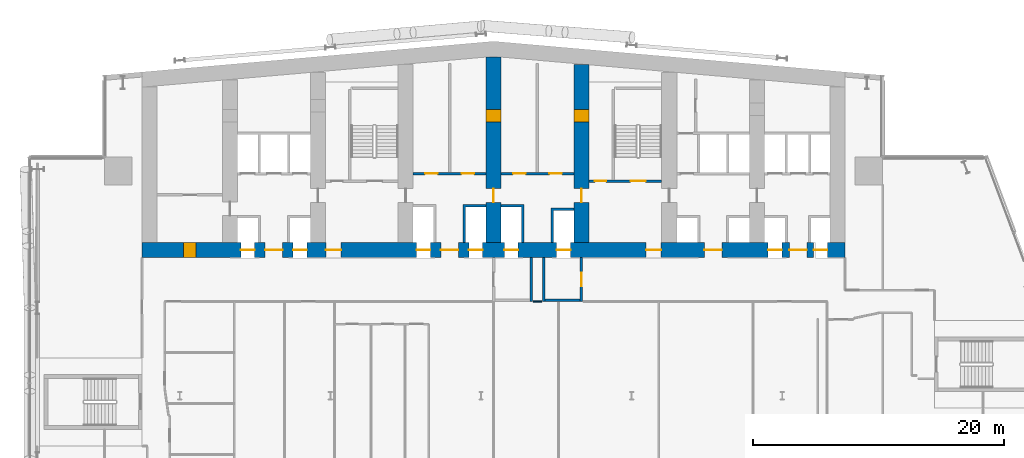
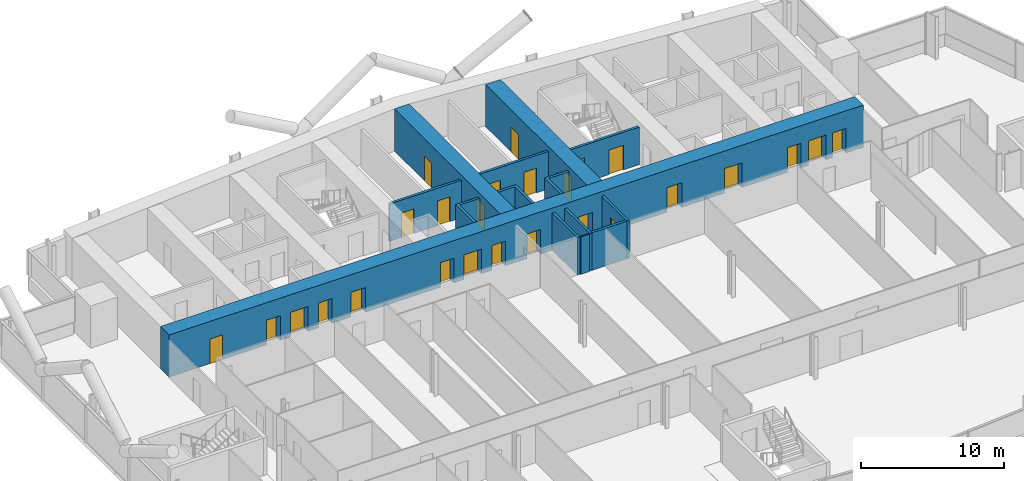
# One storey, part 17 of 27: 26 doors, 14 walls, 26 openings.
"""IFC4 building model written with IfcOpenShell, lengths in metres."""

from ifc_helpers import new_model, si_unit, direction, frame, frame_2d, origin, place, context, subcontext, project, spatial, polyline, rectangle, outline, extrude, material, layer, layer_set, type_object, element, fill, save


model = new_model("IFC4")

# Units and contexts
model_context = context("Model", 3, precision=1e-05, world=origin(), true_north=direction((0.0, 1.0)))
body_context = subcontext(model_context, "Body", "Model", "MODEL_VIEW")
ifc_project = project(units=[si_unit("LENGTHUNIT", "METRE"), si_unit("AREAUNIT", "SQUARE_METRE"), si_unit("VOLUMEUNIT", "CUBIC_METRE"), si_unit("PLANEANGLEUNIT", "RADIAN"), si_unit("MASSUNIT", "GRAM", prefix="KILO")], contexts=[model_context])

# Site, building, storey
site_placement = place(None, origin())
site = spatial("IfcSite", under=ifc_project, at=site_placement, CompositionType="ELEMENT")
building_placement = place(site_placement, origin())
building = spatial("IfcBuilding", under=site, at=building_placement, Name="Wharfspan Tower", CompositionType="ELEMENT")
storey_placement = place(building_placement, frame((0.0, 0.0, 48.699951)))
storey = spatial("IfcBuildingStorey", under=building, at=storey_placement, Name="L08", CompositionType="ELEMENT", Elevation=48.699951)

# Wall
ifc_material_1 = material(Name="Gypsum board on steel studs", Category="steel")
ifc_layer_1 = layer(ifc_material_1, 0.100098)
ifc_layer_set_1 = layer_set([ifc_layer_1], Name="Gypsum board on steel studs")
wall_type_1 = type_object("IfcWallType", Name="Compartment wall 100 EI 60", PredefinedType="PARTITIONING", material=ifc_layer_set_1)
wall_1_placement = place(storey_placement, frame((40.149902, 30.5, 0.0), z_axis=(0.0, 0.0, 1.0), x_axis=(1.0, 0.0, 0.0)))
element("IfcWall", 1, at=wall_1_placement, inside=storey, type_object=wall_type_1, Name="Partition L08.w014 (2)", PredefinedType="PARTITIONING", context=body_context, shape_type="SweptSolid", body=[
    extrude(rectangle(XDim=0.700195, YDim=0.100098, at=frame_2d((0.350098, 0.0))), origin(), (0.0, 0.0, 1.0), 3.199951),
])

# Wall, openings, doors
ifc_material_2 = material(Name="Concrete C70/85", Category="concrete")
ifc_layer_2 = layer(ifc_material_2, 1.199951)
ifc_layer_set_2 = layer_set([ifc_layer_2], Name="Concrete C70/85")
wall_type_2 = type_object("IfcWallType", Name="Core wall 1200 C70/85", PredefinedType="SHEAR", material=ifc_layer_set_2)
wall_2_placement = place(storey_placement, frame((9.0, 34.600098, 0.0), z_axis=(0.0, 0.0, 1.0), x_axis=(1.0, 0.0, 0.0)))
wall_2 = element("IfcWall", 2, at=wall_2_placement, inside=storey, type_object=wall_type_2, Name="Core front wall L08", PredefinedType="SHEAR", context=body_context, shape_type="SweptSolid", body=[
    extrude(rectangle(XDim=56.0, YDim=1.199951, at=frame_2d((28.0, 0.0))), origin(), (0.0, 0.0, 1.0), 3.600098),
])
opening_1_placement = place(wall_2_placement, frame((3.300049, 0.0, 0.0)))
opening_1 = element("IfcOpeningElement", 3, at=opening_1_placement, cuts=wall_2, Name="Opening CD08.01", PredefinedType="OPENING", context=body_context, shape_type="SweptSolid", body=[
    extrude(rectangle(XDim=1.0, YDim=2.100098, at=frame_2d((0.5, 1.050049))), frame((0.0, 0.609863, 0.0), z_axis=(0.0, -1.0, 0.0), x_axis=(1.0, 0.0, 0.0)), (0.0, 0.0, 1.0), 1.219971),
])
opening_2_placement = place(wall_2_placement, frame((7.866699, 0.0, 0.0)))
opening_2 = element("IfcOpeningElement", 4, at=opening_2_placement, cuts=wall_2, Name="Opening LD.LA1.L08", PredefinedType="OPENING", context=body_context, shape_type="SweptSolid", body=[
    extrude(rectangle(XDim=1.100098, YDim=2.100098, at=frame_2d((0.550049, 1.050049))), frame((0.0, 0.609863, 0.0), z_axis=(0.0, -1.0, 0.0), x_axis=(1.0, 0.0, 0.0)), (0.0, 0.0, 1.0), 1.219971),
])
opening_3_placement = place(wall_2_placement, frame((12.033203, 0.0, 0.0)))
opening_3 = element("IfcOpeningElement", 5, at=opening_3_placement, cuts=wall_2, Name="Opening LD.LA2.L08", PredefinedType="OPENING", context=body_context, shape_type="SweptSolid", body=[
    extrude(rectangle(XDim=1.100098, YDim=2.100098, at=frame_2d((0.550049, 1.050049))), frame((0.0, 0.609863, 0.0), z_axis=(0.0, -1.0, 0.0), x_axis=(1.0, 0.0, 0.0)), (0.0, 0.0, 1.0), 1.219971),
])
opening_4_placement = place(wall_2_placement, frame((9.800049, 0.0, 0.0)))
opening_4 = element("IfcOpeningElement", 6, at=opening_4_placement, cuts=wall_2, Name="Opening HD08.1", PredefinedType="OPENING", context=body_context, shape_type="SweptSolid", body=[
    extrude(rectangle(XDim=1.399902, YDim=2.100098, at=frame_2d((0.699951, 1.050049))), frame((0.0, 0.609863, 0.0), z_axis=(0.0, -1.0, 0.0), x_axis=(1.0, 0.0, 0.0)), (0.0, 0.0, 1.0), 1.219971),
])
opening_5_placement = place(wall_2_placement, frame((14.649902, 0.0, 0.0)))
opening_5 = element("IfcOpeningElement", 7, at=opening_5_placement, cuts=wall_2, Name="Opening SV2.L08", PredefinedType="OPENING", context=body_context, shape_type="SweptSolid", body=[
    extrude(rectangle(XDim=1.199951, YDim=2.100098, at=frame_2d((0.600098, 1.050049))), frame((0.0, 0.609863, 0.0), z_axis=(0.0, -1.0, 0.0), x_axis=(1.0, 0.0, 0.0)), (0.0, 0.0, 1.0), 1.219971),
])
opening_6_placement = place(wall_2_placement, frame((21.866699, 0.0, 0.0)))
opening_6 = element("IfcOpeningElement", 8, at=opening_6_placement, cuts=wall_2, Name="Opening LD.SL1.L08", PredefinedType="OPENING", context=body_context, shape_type="SweptSolid", body=[
    extrude(rectangle(XDim=1.100098, YDim=2.100098, at=frame_2d((0.550049, 1.050049))), frame((0.0, 0.609863, 0.0), z_axis=(0.0, -1.0, 0.0), x_axis=(1.0, 0.0, 0.0)), (0.0, 0.0, 1.0), 1.219971),
])
opening_7_placement = place(wall_2_placement, frame((26.033203, 0.0, 0.0)))
opening_7 = element("IfcOpeningElement", 9, at=opening_7_placement, cuts=wall_2, Name="Opening LD.SL2.L08", PredefinedType="OPENING", context=body_context, shape_type="SweptSolid", body=[
    extrude(rectangle(XDim=1.100098, YDim=2.100098, at=frame_2d((0.550049, 1.050049))), frame((0.0, 0.609863, 0.0), z_axis=(0.0, -1.0, 0.0), x_axis=(1.0, 0.0, 0.0)), (0.0, 0.0, 1.0), 1.219971),
])
opening_8_placement = place(wall_2_placement, frame((23.800049, 0.0, 0.0)))
opening_8 = element("IfcOpeningElement", 10, at=opening_8_placement, cuts=wall_2, Name="Opening HD08.3", PredefinedType="OPENING", context=body_context, shape_type="SweptSolid", body=[
    extrude(rectangle(XDim=1.399902, YDim=2.100098, at=frame_2d((0.699951, 1.050049))), frame((0.0, 0.609863, 0.0), z_axis=(0.0, -1.0, 0.0), x_axis=(1.0, 0.0, 0.0)), (0.0, 0.0, 1.0), 1.219971),
])
opening_9_placement = place(wall_2_placement, frame((28.866699, 0.0, 0.0)))
opening_9 = element("IfcOpeningElement", 11, at=opening_9_placement, cuts=wall_2, Name="Opening LD.FF1.L08", PredefinedType="OPENING", context=body_context, shape_type="SweptSolid", body=[
    extrude(rectangle(XDim=1.100098, YDim=2.100098, at=frame_2d((0.550049, 1.050049))), frame((0.0, 0.609863, 0.0), z_axis=(0.0, -1.0, 0.0), x_axis=(1.0, 0.0, 0.0)), (0.0, 0.0, 1.0), 1.219971),
])
opening_10_placement = place(wall_2_placement, frame((33.033203, 0.0, 0.0)))
opening_10 = element("IfcOpeningElement", 12, at=opening_10_placement, cuts=wall_2, Name="Opening LD.FF2.L08", PredefinedType="OPENING", context=body_context, shape_type="SweptSolid", body=[
    extrude(rectangle(XDim=1.100098, YDim=2.100098, at=frame_2d((0.550049, 1.050049))), frame((0.0, 0.609863, 0.0), z_axis=(0.0, -1.0, 0.0), x_axis=(1.0, 0.0, 0.0)), (0.0, 0.0, 1.0), 1.219971),
])
opening_11_placement = place(wall_2_placement, frame((40.149902, 0.0, 0.0)))
opening_11 = element("IfcOpeningElement", 13, at=opening_11_placement, cuts=wall_2, Name="Opening SV5.L08", PredefinedType="OPENING", context=body_context, shape_type="SweptSolid", body=[
    extrude(rectangle(XDim=1.199951, YDim=2.100098, at=frame_2d((0.600098, 1.050049))), frame((0.0, 0.609863, 0.0), z_axis=(0.0, -1.0, 0.0), x_axis=(1.0, 0.0, 0.0)), (0.0, 0.0, 1.0), 1.219971),
])
opening_12_placement = place(wall_2_placement, frame((44.800049, 0.0, 0.0)))
opening_12 = element("IfcOpeningElement", 14, at=opening_12_placement, cuts=wall_2, Name="Opening HD08.6", PredefinedType="OPENING", context=body_context, shape_type="SweptSolid", body=[
    extrude(rectangle(XDim=1.399902, YDim=2.100098, at=frame_2d((0.699951, 1.050049))), frame((0.0, 0.609863, 0.0), z_axis=(0.0, -1.0, 0.0), x_axis=(1.0, 0.0, 0.0)), (0.0, 0.0, 1.0), 1.219971),
])
opening_13_placement = place(wall_2_placement, frame((49.866699, 0.0, 0.0)))
opening_13 = element("IfcOpeningElement", 15, at=opening_13_placement, cuts=wall_2, Name="Opening LD.LA6.L08", PredefinedType="OPENING", context=body_context, shape_type="SweptSolid", body=[
    extrude(rectangle(XDim=1.100098, YDim=2.100098, at=frame_2d((0.550049, 1.050049))), frame((0.0, 0.609863, 0.0), z_axis=(0.0, -1.0, 0.0), x_axis=(1.0, 0.0, 0.0)), (0.0, 0.0, 1.0), 1.219971),
])
opening_14_placement = place(wall_2_placement, frame((53.5, 0.0, 0.0)))
opening_14 = element("IfcOpeningElement", 16, at=opening_14_placement, cuts=wall_2, Name="Opening LD.LA7.L08", PredefinedType="OPENING", context=body_context, shape_type="SweptSolid", body=[
    extrude(rectangle(XDim=1.100098, YDim=2.100098, at=frame_2d((0.550049, 1.050049))), frame((0.0, 0.609863, 0.0), z_axis=(0.0, -1.0, 0.0), x_axis=(1.0, 0.0, 0.0)), (0.0, 0.0, 1.0), 1.219971),
])
opening_15_placement = place(wall_2_placement, frame((51.56665, 0.0, 0.0)))
opening_15 = element("IfcOpeningElement", 17, at=opening_15_placement, cuts=wall_2, Name="Opening HD08.7", PredefinedType="OPENING", context=body_context, shape_type="SweptSolid", body=[
    extrude(rectangle(XDim=1.399902, YDim=2.100098, at=frame_2d((0.699951, 1.050049))), frame((0.0, 0.609863, 0.0), z_axis=(0.0, -1.0, 0.0), x_axis=(1.0, 0.0, 0.0)), (0.0, 0.0, 1.0), 1.219971),
])
ifc_material_3 = material(Name="Steel door leaf", Category="steel")
door_type_1 = type_object("IfcDoorType", Name="Core room door 1000x2100", OperationType="SINGLE_SWING_LEFT", PredefinedType="DOOR", material=ifc_material_3)
door_1_placement = place(opening_1_placement, origin())
door_1 = element("IfcDoor", 18, at=door_1_placement, inside=storey, type_object=door_type_1, Name="d:L08:0:rf", OperationType="SINGLE_SWING_LEFT", OverallHeight=2.100098, OverallWidth=1.0, PredefinedType="DOOR", context=body_context, shape_type="SweptSolid", body=[
    extrude(rectangle(XDim=1.0, YDim=2.100098, at=frame_2d((0.5, 1.050049))), frame((0.0, 0.599609, 0.0), z_axis=(0.0, -1.0, 0.0), x_axis=(1.0, 0.0, 0.0)), (0.0, 0.0, 1.0), 1.199463),
])
fill(opening_1, door_1)
door_type_2 = type_object("IfcDoorType", Name="Hall entry door 1400x2100", OperationType="DOUBLE_DOOR_SINGLE_SWING", PredefinedType="DOOR", material=ifc_material_3)
door_2_placement = place(opening_4_placement, origin())
door_2 = element("IfcDoor", 19, at=door_2_placement, inside=storey, type_object=door_type_2, Name="d:L08:1:hd1", OperationType="DOUBLE_DOOR_SINGLE_SWING", OverallHeight=2.100098, OverallWidth=1.399902, PredefinedType="DOOR", context=body_context, shape_type="SweptSolid", body=[
    extrude(rectangle(XDim=1.399902, YDim=2.100098, at=frame_2d((0.699951, 1.050049))), frame((0.0, 0.024902, 0.0), z_axis=(0.0, -1.0, 0.0), x_axis=(1.0, 0.0, 0.0)), (0.0, 0.0, 1.0), 0.050049),
])
fill(opening_4, door_2)
door_3_placement = place(opening_8_placement, origin())
door_3 = element("IfcDoor", 20, at=door_3_placement, inside=storey, type_object=door_type_2, Name="d:L08:3:hd3", OperationType="DOUBLE_DOOR_SINGLE_SWING", OverallHeight=2.100098, OverallWidth=1.399902, PredefinedType="DOOR", context=body_context, shape_type="SweptSolid", body=[
    extrude(rectangle(XDim=1.399902, YDim=2.100098, at=frame_2d((0.699951, 1.050049))), frame((0.0, 0.024902, 0.0), z_axis=(0.0, -1.0, 0.0), x_axis=(1.0, 0.0, 0.0)), (0.0, 0.0, 1.0), 0.050049),
])
fill(opening_8, door_3)
door_4_placement = place(opening_12_placement, origin())
door_4 = element("IfcDoor", 21, at=door_4_placement, inside=storey, type_object=door_type_2, Name="d:L08:6:hd6", OperationType="DOUBLE_DOOR_SINGLE_SWING", OverallHeight=2.100098, OverallWidth=1.399902, PredefinedType="DOOR", context=body_context, shape_type="SweptSolid", body=[
    extrude(rectangle(XDim=1.399902, YDim=2.100098, at=frame_2d((0.699951, 1.050049))), frame((0.0, 0.024902, 0.0), z_axis=(0.0, -1.0, 0.0), x_axis=(1.0, 0.0, 0.0)), (0.0, 0.0, 1.0), 0.050049),
])
fill(opening_12, door_4)
door_5_placement = place(opening_15_placement, origin())
door_5 = element("IfcDoor", 22, at=door_5_placement, inside=storey, type_object=door_type_2, Name="d:L08:7:hd7", OperationType="DOUBLE_DOOR_SINGLE_SWING", OverallHeight=2.100098, OverallWidth=1.399902, PredefinedType="DOOR", context=body_context, shape_type="SweptSolid", body=[
    extrude(rectangle(XDim=1.399902, YDim=2.100098, at=frame_2d((0.699951, 1.050049))), frame((0.0, 0.024902, 0.0), z_axis=(0.0, -1.0, 0.0), x_axis=(1.0, 0.0, 0.0)), (0.0, 0.0, 1.0), 0.050049),
])
fill(opening_15, door_5)
ifc_material_4 = material(Name="Stainless steel", Category="steel")
door_type_3 = type_object("IfcDoorType", Name="Lift landing door 1100x2100", OperationType="DOUBLE_DOOR_SLIDING", PredefinedType="DOOR", material=ifc_material_4)
door_6_placement = place(opening_2_placement, origin())
door_6 = element("IfcDoor", 23, at=door_6_placement, inside=storey, type_object=door_type_3, Name="Landing door LA1 L08", OperationType="DOUBLE_DOOR_SLIDING", OverallHeight=2.100098, OverallWidth=1.100098, PredefinedType="DOOR", context=body_context, shape_type="SweptSolid", body=[
    extrude(rectangle(XDim=1.100098, YDim=2.100098, at=frame_2d((0.550049, 1.050049))), frame((0.0, 0.024902, 0.0), z_axis=(0.0, -1.0, 0.0), x_axis=(1.0, 0.0, 0.0)), (0.0, 0.0, 1.0), 0.050049),
])
fill(opening_2, door_6)
door_7_placement = place(opening_3_placement, origin())
door_7 = element("IfcDoor", 24, at=door_7_placement, inside=storey, type_object=door_type_3, Name="Landing door LA2 L08", OperationType="DOUBLE_DOOR_SLIDING", OverallHeight=2.100098, OverallWidth=1.100098, PredefinedType="DOOR", context=body_context, shape_type="SweptSolid", body=[
    extrude(rectangle(XDim=1.100098, YDim=2.100098, at=frame_2d((0.550049, 1.050049))), frame((0.0, 0.024902, 0.0), z_axis=(0.0, -1.0, 0.0), x_axis=(1.0, 0.0, 0.0)), (0.0, 0.0, 1.0), 0.050049),
])
fill(opening_3, door_7)
door_8_placement = place(opening_6_placement, origin())
door_8 = element("IfcDoor", 25, at=door_8_placement, inside=storey, type_object=door_type_3, Name="Landing door SL1 L08", OperationType="DOUBLE_DOOR_SLIDING", OverallHeight=2.100098, OverallWidth=1.100098, PredefinedType="DOOR", context=body_context, shape_type="SweptSolid", body=[
    extrude(rectangle(XDim=1.100098, YDim=2.100098, at=frame_2d((0.550049, 1.050049))), frame((0.0, 0.024902, 0.0), z_axis=(0.0, -1.0, 0.0), x_axis=(1.0, 0.0, 0.0)), (0.0, 0.0, 1.0), 0.050049),
])
fill(opening_6, door_8)
door_9_placement = place(opening_7_placement, origin())
door_9 = element("IfcDoor", 26, at=door_9_placement, inside=storey, type_object=door_type_3, Name="Landing door SL2 L08", OperationType="DOUBLE_DOOR_SLIDING", OverallHeight=2.100098, OverallWidth=1.100098, PredefinedType="DOOR", context=body_context, shape_type="SweptSolid", body=[
    extrude(rectangle(XDim=1.100098, YDim=2.100098, at=frame_2d((0.550049, 1.050049))), frame((0.0, 0.024902, 0.0), z_axis=(0.0, -1.0, 0.0), x_axis=(1.0, 0.0, 0.0)), (0.0, 0.0, 1.0), 0.050049),
])
fill(opening_7, door_9)
door_10_placement = place(opening_9_placement, origin())
door_10 = element("IfcDoor", 27, at=door_10_placement, inside=storey, type_object=door_type_3, Name="Landing door FF1 L08", OperationType="DOUBLE_DOOR_SLIDING", OverallHeight=2.100098, OverallWidth=1.100098, PredefinedType="DOOR", context=body_context, shape_type="SweptSolid", body=[
    extrude(rectangle(XDim=1.100098, YDim=2.100098, at=frame_2d((0.550049, 1.050049))), frame((0.0, 0.024902, 0.0), z_axis=(0.0, -1.0, 0.0), x_axis=(1.0, 0.0, 0.0)), (0.0, 0.0, 1.0), 0.050049),
])
fill(opening_9, door_10)
door_11_placement = place(opening_10_placement, origin())
door_11 = element("IfcDoor", 28, at=door_11_placement, inside=storey, type_object=door_type_3, Name="Landing door FF2 L08", OperationType="DOUBLE_DOOR_SLIDING", OverallHeight=2.100098, OverallWidth=1.100098, PredefinedType="DOOR", context=body_context, shape_type="SweptSolid", body=[
    extrude(rectangle(XDim=1.100098, YDim=2.100098, at=frame_2d((0.550049, 1.050049))), frame((0.0, 0.024902, 0.0), z_axis=(0.0, -1.0, 0.0), x_axis=(1.0, 0.0, 0.0)), (0.0, 0.0, 1.0), 0.050049),
])
fill(opening_10, door_11)
door_12_placement = place(opening_13_placement, origin())
door_12 = element("IfcDoor", 29, at=door_12_placement, inside=storey, type_object=door_type_3, Name="Landing door LA6 L08", OperationType="DOUBLE_DOOR_SLIDING", OverallHeight=2.100098, OverallWidth=1.100098, PredefinedType="DOOR", context=body_context, shape_type="SweptSolid", body=[
    extrude(rectangle(XDim=1.100098, YDim=2.100098, at=frame_2d((0.550049, 1.050049))), frame((0.0, 0.024902, 0.0), z_axis=(0.0, -1.0, 0.0), x_axis=(1.0, 0.0, 0.0)), (0.0, 0.0, 1.0), 0.050049),
])
fill(opening_13, door_12)
door_13_placement = place(opening_14_placement, origin())
door_13 = element("IfcDoor", 30, at=door_13_placement, inside=storey, type_object=door_type_3, Name="Landing door LA7 L08", OperationType="DOUBLE_DOOR_SLIDING", OverallHeight=2.100098, OverallWidth=1.100098, PredefinedType="DOOR", context=body_context, shape_type="SweptSolid", body=[
    extrude(rectangle(XDim=1.100098, YDim=2.100098, at=frame_2d((0.550049, 1.050049))), frame((0.0, 0.024902, 0.0), z_axis=(0.0, -1.0, 0.0), x_axis=(1.0, 0.0, 0.0)), (0.0, 0.0, 1.0), 0.050049),
])
fill(opening_14, door_13)
door_type_4 = type_object("IfcDoorType", Name="Stair door 1200x2100", OperationType="SINGLE_SWING_LEFT", PredefinedType="DOOR", material=ifc_material_3)
door_14_placement = place(opening_5_placement, origin())
door_14 = element("IfcDoor", 31, at=door_14_placement, inside=storey, type_object=door_type_4, Name="vd:L08:2", OperationType="SINGLE_SWING_LEFT", OverallHeight=2.100098, OverallWidth=1.199951, PredefinedType="DOOR", context=body_context, shape_type="SweptSolid", body=[
    extrude(rectangle(XDim=1.199951, YDim=2.100098, at=frame_2d((0.600098, 1.050049))), frame((0.0, 0.024902, 0.0), z_axis=(0.0, -1.0, 0.0), x_axis=(1.0, 0.0, 0.0)), (0.0, 0.0, 1.0), 0.050049),
])
fill(opening_5, door_14)
door_15_placement = place(opening_11_placement, origin())
door_15 = element("IfcDoor", 32, at=door_15_placement, inside=storey, type_object=door_type_4, Name="vd:L08:5", OperationType="SINGLE_SWING_LEFT", OverallHeight=2.100098, OverallWidth=1.199951, PredefinedType="DOOR", context=body_context, shape_type="SweptSolid", body=[
    extrude(rectangle(XDim=1.199951, YDim=2.100098, at=frame_2d((0.600098, 1.050049))), frame((0.0, 0.024902, 0.0), z_axis=(0.0, -1.0, 0.0), x_axis=(1.0, 0.0, 0.0)), (0.0, 0.0, 1.0), 0.050049),
])
fill(opening_11, door_15)

wall_3_placement = place(storey_placement, frame((37.0, 35.199951, 0.0), z_axis=(0.0, 0.0, 1.0), x_axis=(0.0, 1.0, 0.0)))
wall_3 = element("IfcWall", 33, at=wall_3_placement, inside=storey, type_object=wall_type_2, Name="Core cross wall X4 L08", PredefinedType="SHEAR", context=body_context, shape_type="SweptSolid", body=[
    extrude(rectangle(XDim=14.780029, YDim=1.199951, at=frame_2d((7.390137, 0.0))), origin(), (0.0, 0.0, 1.0), 3.600098),
])
opening_16_placement = place(wall_3_placement, frame((3.199951, 0.0, 0.0)))
opening_16 = element("IfcOpeningElement", 34, at=opening_16_placement, cuts=wall_3, Name="Opening CC08.4", PredefinedType="OPENING", context=body_context, shape_type="SweptSolid", body=[
    extrude(rectangle(XDim=1.100098, YDim=2.100098, at=frame_2d((0.550049, 1.050049))), frame((0.0, 0.609863, 0.0), z_axis=(0.0, -1.0, 0.0), x_axis=(1.0, 0.0, 0.0)), (0.0, 0.0, 1.0), 1.219971),
])
opening_17_placement = place(wall_3_placement, frame((9.600098, 0.0, 0.0)))
opening_17 = element("IfcOpeningElement", 35, at=opening_17_placement, cuts=wall_3, Name="Opening CR08.4", PredefinedType="OPENING", context=body_context, shape_type="SweptSolid", body=[
    extrude(rectangle(XDim=1.0, YDim=2.100098, at=frame_2d((0.5, 1.050049))), frame((0.0, 0.609863, 0.0), z_axis=(0.0, -1.0, 0.0), x_axis=(1.0, 0.0, 0.0)), (0.0, 0.0, 1.0), 1.219971),
])
door_type_5 = type_object("IfcDoorType", Name="Core corridor door 1100x2100", OperationType="SINGLE_SWING_LEFT", PredefinedType="DOOR", material=ifc_material_3)
door_16_placement = place(opening_16_placement, origin())
door_16 = element("IfcDoor", 36, at=door_16_placement, inside=storey, type_object=door_type_5, Name="xd:L08:4", OperationType="SINGLE_SWING_RIGHT", OverallHeight=2.100098, OverallWidth=1.100098, PredefinedType="DOOR", context=body_context, shape_type="SweptSolid", body=[
    extrude(rectangle(XDim=1.100098, YDim=2.100098, at=frame_2d((0.550049, 1.050049))), frame((0.0, 0.024902, 0.0), z_axis=(0.0, -1.0, 0.0), x_axis=(1.0, 0.0, 0.0)), (0.0, 0.0, 1.0), 0.050049),
])
fill(opening_16, door_16)
door_17_placement = place(opening_17_placement, origin())
door_17 = element("IfcDoor", 37, at=door_17_placement, inside=storey, type_object=door_type_1, Name="xr:L08:4", OperationType="SINGLE_SWING_RIGHT", OverallHeight=2.100098, OverallWidth=1.0, PredefinedType="DOOR", context=body_context, shape_type="SweptSolid", body=[
    extrude(rectangle(XDim=1.0, YDim=2.100098, at=frame_2d((0.5, 1.050049))), frame((0.0, 0.599609, 0.0), z_axis=(0.0, -1.0, 0.0), x_axis=(1.0, 0.0, 0.0)), (0.0, 0.0, 1.0), 1.199463),
])
fill(opening_17, door_17)

wall_4_placement = place(storey_placement, frame((44.0, 35.199951, 0.0), z_axis=(0.0, 0.0, 1.0), x_axis=(0.0, 1.0, 0.0)))
wall_4 = element("IfcWall", 38, at=wall_4_placement, inside=storey, type_object=wall_type_2, Name="Core cross wall X5 L08", PredefinedType="SHEAR", context=body_context, shape_type="SweptSolid", body=[
    extrude(rectangle(XDim=14.167725, YDim=1.199951, at=frame_2d((7.083984, 0.0))), origin(), (0.0, 0.0, 1.0), 3.600098),
])
opening_18_placement = place(wall_4_placement, frame((3.199951, 0.0, 0.0)))
opening_18 = element("IfcOpeningElement", 39, at=opening_18_placement, cuts=wall_4, Name="Opening CC08.5", PredefinedType="OPENING", context=body_context, shape_type="SweptSolid", body=[
    extrude(rectangle(XDim=1.100098, YDim=2.100098, at=frame_2d((0.550049, 1.050049))), frame((0.0, 0.609863, 0.0), z_axis=(0.0, -1.0, 0.0), x_axis=(1.0, 0.0, 0.0)), (0.0, 0.0, 1.0), 1.219971),
])
opening_19_placement = place(wall_4_placement, frame((9.600098, 0.0, 0.0)))
opening_19 = element("IfcOpeningElement", 40, at=opening_19_placement, cuts=wall_4, Name="Opening CR08.5", PredefinedType="OPENING", context=body_context, shape_type="SweptSolid", body=[
    extrude(rectangle(XDim=1.0, YDim=2.100098, at=frame_2d((0.5, 1.050049))), frame((0.0, 0.609863, 0.0), z_axis=(0.0, -1.0, 0.0), x_axis=(1.0, 0.0, 0.0)), (0.0, 0.0, 1.0), 1.219971),
])
door_18_placement = place(opening_18_placement, origin())
door_18 = element("IfcDoor", 41, at=door_18_placement, inside=storey, type_object=door_type_5, Name="xd:L08:5", OperationType="SINGLE_SWING_LEFT", OverallHeight=2.100098, OverallWidth=1.100098, PredefinedType="DOOR", context=body_context, shape_type="SweptSolid", body=[
    extrude(rectangle(XDim=1.100098, YDim=2.100098, at=frame_2d((0.550049, 1.050049))), frame((0.0, 0.024902, 0.0), z_axis=(0.0, -1.0, 0.0), x_axis=(1.0, 0.0, 0.0)), (0.0, 0.0, 1.0), 0.050049),
])
fill(opening_18, door_18)
door_19_placement = place(opening_19_placement, origin())
door_19 = element("IfcDoor", 42, at=door_19_placement, inside=storey, type_object=door_type_1, Name="xr:L08:5", OperationType="SINGLE_SWING_RIGHT", OverallHeight=2.100098, OverallWidth=1.0, PredefinedType="DOOR", context=body_context, shape_type="SweptSolid", body=[
    extrude(rectangle(XDim=1.0, YDim=2.100098, at=frame_2d((0.5, 1.050049))), frame((0.0, 0.599609, 0.0), z_axis=(0.0, -1.0, 0.0), x_axis=(1.0, 0.0, 0.0)), (0.0, 0.0, 1.0), 1.199463),
])
fill(opening_19, door_19)

ifc_material_5 = material(Name="Concrete C30/37", Category="concrete")
ifc_layer_3 = layer(ifc_material_5, 0.199951)
ifc_layer_set_3 = layer_set([ifc_layer_3], Name="Concrete C30/37")
wall_type_3 = type_object("IfcWallType", Name="Lift shaft wall 200", PredefinedType="PARTITIONING", material=ifc_layer_set_3)
wall_5_placement = place(storey_placement, frame((30.600098, 40.699951, 0.0), z_axis=(0.0, 0.0, 1.0), x_axis=(1.0, 0.0, 0.0)))
wall_5 = element("IfcWall", 43, at=wall_5_placement, inside=storey, type_object=wall_type_3, Name="sw:L08:RF3", PredefinedType="PARTITIONING", context=body_context, shape_type="SweptSolid", body=[
    extrude(rectangle(XDim=5.799805, YDim=0.199951, at=frame_2d((2.899902, 0.0))), origin(), (0.0, 0.0, 1.0), 3.199951),
])
opening_20_placement = place(wall_5_placement, frame((0.949951, 0.0, 0.0)))
opening_20 = element("IfcOpeningElement", 44, at=opening_20_placement, cuts=wall_5, Name="Opening CD08.3S", PredefinedType="OPENING", context=body_context, shape_type="SweptSolid", body=[
    extrude(rectangle(XDim=1.0, YDim=2.100098, at=frame_2d((0.5, 1.050049))), frame((0.0, 0.109863, 0.0), z_axis=(0.0, -1.0, 0.0), x_axis=(1.0, 0.0, 0.0)), (0.0, 0.0, 1.0), 0.219971),
])
opening_21_placement = place(wall_5_placement, frame((3.850098, 0.0, 0.0)))
opening_21 = element("IfcOpeningElement", 45, at=opening_21_placement, cuts=wall_5, Name="Opening CD08.3Sa", PredefinedType="OPENING", context=body_context, shape_type="SweptSolid", body=[
    extrude(rectangle(XDim=1.0, YDim=2.100098, at=frame_2d((0.5, 1.050049))), frame((0.0, 0.109863, 0.0), z_axis=(0.0, -1.0, 0.0), x_axis=(1.0, 0.0, 0.0)), (0.0, 0.0, 1.0), 0.219971),
])
door_20_placement = place(opening_20_placement, origin())
door_20 = element("IfcDoor", 46, at=door_20_placement, inside=storey, type_object=door_type_1, Name="d:L08:3:sf", OperationType="SINGLE_SWING_LEFT", OverallHeight=2.100098, OverallWidth=1.0, PredefinedType="DOOR", context=body_context, shape_type="SweptSolid", body=[
    extrude(rectangle(XDim=1.0, YDim=2.100098, at=frame_2d((0.5, 1.050049))), frame((0.0, 0.024902, 0.0), z_axis=(0.0, -1.0, 0.0), x_axis=(1.0, 0.0, 0.0)), (0.0, 0.0, 1.0), 0.050049),
])
fill(opening_20, door_20)
door_21_placement = place(opening_21_placement, origin())
door_21 = element("IfcDoor", 47, at=door_21_placement, inside=storey, type_object=door_type_1, Name="d:L08:3:sf1", OperationType="SINGLE_SWING_LEFT", OverallHeight=2.100098, OverallWidth=1.0, PredefinedType="DOOR", context=body_context, shape_type="SweptSolid", body=[
    extrude(rectangle(XDim=1.0, YDim=2.100098, at=frame_2d((0.5, 1.050049))), frame((0.0, 0.024902, 0.0), z_axis=(0.0, -1.0, 0.0), x_axis=(1.0, 0.0, 0.0)), (0.0, 0.0, 1.0), 0.050049),
])
fill(opening_21, door_21)

# Wall
wall_6_placement = place(storey_placement, frame((0.0, 0.0, -0.000244)))
element("IfcWall", 48, at=wall_6_placement, inside=storey, type_object=wall_type_3, Name="sw:L08:FM3.1", PredefinedType="PARTITIONING", context=body_context, shape_type="SweptSolid", body=[
    extrude(outline(polyline([(34.56665, 38.25), (34.766602, 38.25), (36.399902, 38.25), (36.399902, 38.050049), (34.766602, 38.050049), (34.766602, 35.199951), (34.56665, 35.199951), (34.56665, 38.25)])), origin(), (0.0, 0.0, 1.0), 3.200195),
])

# Wall, openings, doors
wall_7_placement = place(storey_placement, frame((37.600098, 40.699951, 0.0), z_axis=(0.0, 0.0, 1.0), x_axis=(1.0, 0.0, 0.0)))
wall_7 = element("IfcWall", 49, at=wall_7_placement, inside=storey, type_object=wall_type_3, Name="sw:L08:RF4", PredefinedType="PARTITIONING", context=body_context, shape_type="SweptSolid", body=[
    extrude(rectangle(XDim=5.799805, YDim=0.199951, at=frame_2d((2.899902, 0.0))), origin(), (0.0, 0.0, 1.0), 3.199951),
])
opening_22_placement = place(wall_7_placement, frame((0.949951, 0.0, 0.0)))
opening_22 = element("IfcOpeningElement", 50, at=opening_22_placement, cuts=wall_7, Name="Opening CD08.4S", PredefinedType="OPENING", context=body_context, shape_type="SweptSolid", body=[
    extrude(rectangle(XDim=1.0, YDim=2.100098, at=frame_2d((0.5, 1.050049))), frame((0.0, 0.109863, 0.0), z_axis=(0.0, -1.0, 0.0), x_axis=(1.0, 0.0, 0.0)), (0.0, 0.0, 1.0), 0.219971),
])
opening_23_placement = place(wall_7_placement, frame((3.850098, 0.0, 0.0)))
opening_23 = element("IfcOpeningElement", 51, at=opening_23_placement, cuts=wall_7, Name="Opening CD08.4Sa", PredefinedType="OPENING", context=body_context, shape_type="SweptSolid", body=[
    extrude(rectangle(XDim=1.0, YDim=2.100098, at=frame_2d((0.5, 1.050049))), frame((0.0, 0.109863, 0.0), z_axis=(0.0, -1.0, 0.0), x_axis=(1.0, 0.0, 0.0)), (0.0, 0.0, 1.0), 0.219971),
])
door_22_placement = place(opening_22_placement, origin())
door_22 = element("IfcDoor", 52, at=door_22_placement, inside=storey, type_object=door_type_1, Name="d:L08:4:sf", OperationType="SINGLE_SWING_LEFT", OverallHeight=2.100098, OverallWidth=1.0, PredefinedType="DOOR", context=body_context, shape_type="SweptSolid", body=[
    extrude(rectangle(XDim=1.0, YDim=2.100098, at=frame_2d((0.5, 1.050049))), frame((0.0, 0.024902, 0.0), z_axis=(0.0, -1.0, 0.0), x_axis=(1.0, 0.0, 0.0)), (0.0, 0.0, 1.0), 0.050049),
])
fill(opening_22, door_22)
door_23_placement = place(opening_23_placement, origin())
door_23 = element("IfcDoor", 53, at=door_23_placement, inside=storey, type_object=door_type_1, Name="d:L08:4:sf1", OperationType="SINGLE_SWING_LEFT", OverallHeight=2.100098, OverallWidth=1.0, PredefinedType="DOOR", context=body_context, shape_type="SweptSolid", body=[
    extrude(rectangle(XDim=1.0, YDim=2.100098, at=frame_2d((0.5, 1.050049))), frame((0.0, 0.024902, 0.0), z_axis=(0.0, -1.0, 0.0), x_axis=(1.0, 0.0, 0.0)), (0.0, 0.0, 1.0), 0.050049),
])
fill(opening_23, door_23)

# Walls
wall_8_placement = place(storey_placement, frame((0.0, 0.0, -0.000244)))
element("IfcWall", 54, at=wall_8_placement, inside=storey, type_object=wall_type_3, Name="sw:L08:FM4.0", PredefinedType="PARTITIONING", context=body_context, shape_type="SweptSolid", body=[
    extrude(outline(polyline([(41.56665, 37.949951), (41.766602, 37.949951), (43.399902, 37.949951), (43.399902, 37.75), (41.766602, 37.75), (41.766602, 35.199951), (41.56665, 35.199951), (41.56665, 37.949951)])), origin(), (0.0, 0.0, 1.0), 3.200195),
])
wall_9_placement = place(storey_placement, frame((0.0, 0.0, -0.000244)))
element("IfcWall", 55, at=wall_9_placement, inside=storey, type_object=wall_type_3, Name="sw:L08:FM4.1", PredefinedType="PARTITIONING", context=body_context, shape_type="SweptSolid", body=[
    extrude(outline(polyline([(39.233398, 38.050049), (37.600098, 38.050049), (37.600098, 38.25), (39.233398, 38.25), (39.43335, 38.25), (39.43335, 35.199951), (39.233398, 35.199951), (39.233398, 38.050049)])), origin(), (0.0, 0.0, 1.0), 3.200195),
])
ifc_layer_4 = layer(ifc_material_5, 0.199951)
ifc_layer_set_4 = layer_set([ifc_layer_4], Name="Concrete C30/37")
wall_type_4 = type_object("IfcWallType", Name="Lobby wall 200", PredefinedType="PARTITIONING", material=ifc_layer_set_4)
for number, where, z_axis, x_axis, name in (
    (56, (40.0, 30.5, 0.0), (0.0, 0.0, 1.0), (0.0, 1.0, 0.0), "sw:L08:FLFF1E"),
    (57, (41.0, 30.5, 0.0), (0.0, 0.0, 1.0), (0.0, 1.0, 0.0), "sw:L08:FLFF2W"),
):
    element("IfcWall", number, at=place(storey_placement, frame(where, z_axis=z_axis, x_axis=x_axis)), inside=storey, type_object=wall_type_4, Name=name, PredefinedType="PARTITIONING", context=body_context, shape_type="SweptSolid", body=[
        extrude(rectangle(XDim=3.5, YDim=0.199951, at=frame_2d((1.75, 0.0))), origin(), (0.0, 0.0, 1.0), 3.199951),
    ])

# Wall, opening, door
wall_10_placement = place(storey_placement, frame((44.0, 30.5, 0.0), z_axis=(0.0, 0.0, 1.0), x_axis=(0.0, 1.0, 0.0)))
wall_10 = element("IfcWall", 58, at=wall_10_placement, inside=storey, type_object=wall_type_4, Name="sw:L08:FLFF2E", PredefinedType="PARTITIONING", context=body_context, shape_type="SweptSolid", body=[
    extrude(rectangle(XDim=3.5, YDim=0.199951, at=frame_2d((1.75, 0.0))), origin(), (0.0, 0.0, 1.0), 3.199951),
])
opening_24_placement = place(wall_10_placement, frame((1.199951, 0.0, 0.0)))
opening_24 = element("IfcOpeningElement", 59, at=opening_24_placement, cuts=wall_10, Name="Opening FL.FF2.L08", PredefinedType="OPENING", context=body_context, shape_type="SweptSolid", body=[
    extrude(rectangle(XDim=1.100098, YDim=2.100098, at=frame_2d((0.550049, 1.050049))), frame((0.0, 0.109863, 0.0), z_axis=(0.0, -1.0, 0.0), x_axis=(1.0, 0.0, 0.0)), (0.0, 0.0, 1.0), 0.219971),
])
door_type_6 = type_object("IfcDoorType", Name="Firefighting lobby door 1100x2100", OperationType="SINGLE_SWING_LEFT", PredefinedType="DOOR", material=ifc_material_3)
door_24_placement = place(opening_24_placement, origin())
door_24 = element("IfcDoor", 60, at=door_24_placement, inside=storey, type_object=door_type_6, Name="fd:L08:FF2", OperationType="SINGLE_SWING_LEFT", OverallHeight=2.100098, OverallWidth=1.100098, PredefinedType="DOOR", context=body_context, shape_type="SweptSolid", body=[
    extrude(rectangle(XDim=1.100098, YDim=2.100098, at=frame_2d((0.550049, 1.050049))), frame((0.0, 0.024902, 0.0), z_axis=(0.0, -1.0, 0.0), x_axis=(1.0, 0.0, 0.0)), (0.0, 0.0, 1.0), 0.050049),
])
fill(opening_24, door_24)

# Wall
wall_11_placement = place(storey_placement, frame((41.100098, 30.600098, 0.0), z_axis=(0.0, 0.0, 1.0), x_axis=(1.0, 0.0, 0.0)))
element("IfcWall", 61, at=wall_11_placement, inside=storey, type_object=wall_type_4, Name="sw:L08:FLFF2F", PredefinedType="PARTITIONING", context=body_context, shape_type="SweptSolid", body=[
    extrude(rectangle(XDim=2.799805, YDim=0.199951, at=frame_2d((1.399902, 0.0))), origin(), (0.0, 0.0, 1.0), 3.199951),
])

# Wall, openings, doors
ifc_material_6 = material(Name="Concrete C40/50", Category="concrete")
ifc_layer_5 = layer(ifc_material_6, 0.199951)
ifc_layer_set_5 = layer_set([ifc_layer_5], Name="Concrete C40/50")
wall_type_5 = type_object("IfcWallType", Name="Stair shaft wall 200", PredefinedType="SHEAR", material=ifc_layer_set_5)
wall_12_placement = place(storey_placement, frame((44.600098, 40.100098, 0.0), z_axis=(0.0, 0.0, 1.0), x_axis=(1.0, 0.0, 0.0)))
wall_12 = element("IfcWall", 62, at=wall_12_placement, inside=storey, type_object=wall_type_5, Name="ST2 stair enclosure wall L08", PredefinedType="SHEAR", context=body_context, shape_type="SweptSolid", body=[
    extrude(rectangle(XDim=5.799805, YDim=0.199951, at=frame_2d((2.899902, 0.0))), origin(), (0.0, 0.0, 1.0), 3.199951),
])
opening_25_placement = place(wall_12_placement, frame((3.324951, 0.0, 0.0)))
opening_25 = element("IfcOpeningElement", 63, at=opening_25_placement, cuts=wall_12, Name="Opening SD5.L08", PredefinedType="OPENING", context=body_context, shape_type="SweptSolid", body=[
    extrude(rectangle(XDim=1.199951, YDim=2.100098, at=frame_2d((0.600098, 1.050049))), frame((0.0, 0.109863, 0.0), z_axis=(0.0, -1.0, 0.0), x_axis=(1.0, 0.0, 0.0)), (0.0, 0.0, 1.0), 0.219971),
])
opening_26_placement = place(wall_12_placement, frame((0.475098, 0.0, 0.0)))
opening_26 = element("IfcOpeningElement", 64, at=opening_26_placement, cuts=wall_12, Name="Opening CD08.5R", PredefinedType="OPENING", context=body_context, shape_type="SweptSolid", body=[
    extrude(rectangle(XDim=0.899902, YDim=2.100098, at=frame_2d((0.449951, 1.050049))), frame((0.0, 0.109863, 0.0), z_axis=(0.0, -1.0, 0.0), x_axis=(1.0, 0.0, 0.0)), (0.0, 0.0, 1.0), 0.219971),
])
door_25_placement = place(opening_26_placement, origin())
door_25 = element("IfcDoor", 65, at=door_25_placement, inside=storey, type_object=door_type_1, Name="rk:L08:5", OperationType="SINGLE_SWING_LEFT", OverallHeight=2.100098, OverallWidth=0.899902, PredefinedType="DOOR", context=body_context, shape_type="SweptSolid", body=[
    extrude(rectangle(XDim=0.899902, YDim=2.100098, at=frame_2d((0.449951, 1.050049))), frame((0.0, 0.024902, 0.0), z_axis=(0.0, -1.0, 0.0), x_axis=(1.0, 0.0, 0.0)), (0.0, 0.0, 1.0), 0.050049),
])
fill(opening_26, door_25)
door_26_placement = place(opening_25_placement, origin())
door_26 = element("IfcDoor", 66, at=door_26_placement, inside=storey, type_object=door_type_4, Name="sd:L08:5", OperationType="SINGLE_SWING_RIGHT", OverallHeight=2.100098, OverallWidth=1.199951, PredefinedType="DOOR", context=body_context, shape_type="SweptSolid", body=[
    extrude(rectangle(XDim=1.199951, YDim=2.100098, at=frame_2d((0.600098, 1.050049))), frame((0.0, 0.024902, 0.0), z_axis=(0.0, -1.0, 0.0), x_axis=(1.0, 0.0, 0.0)), (0.0, 0.0, 1.0), 0.050049),
])
fill(opening_25, door_26)

save(model, "model.ifc")
